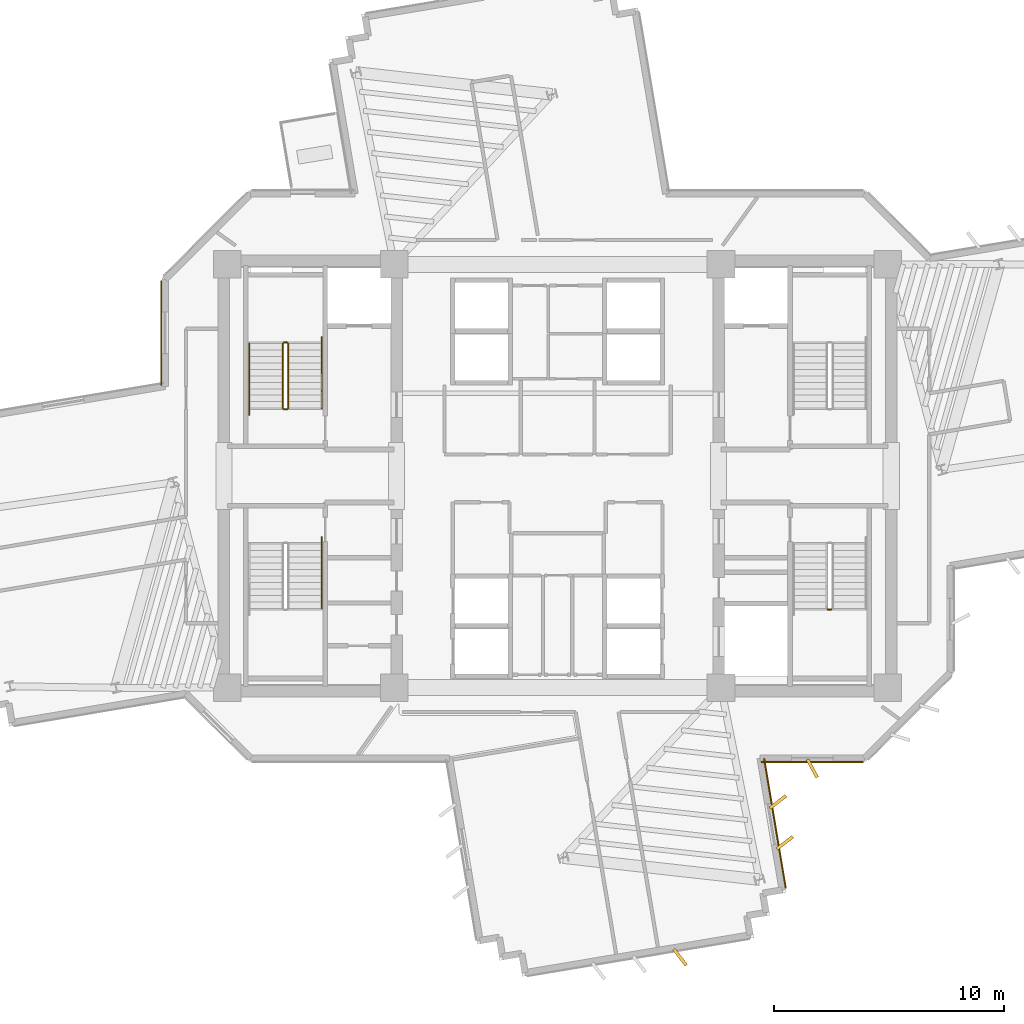
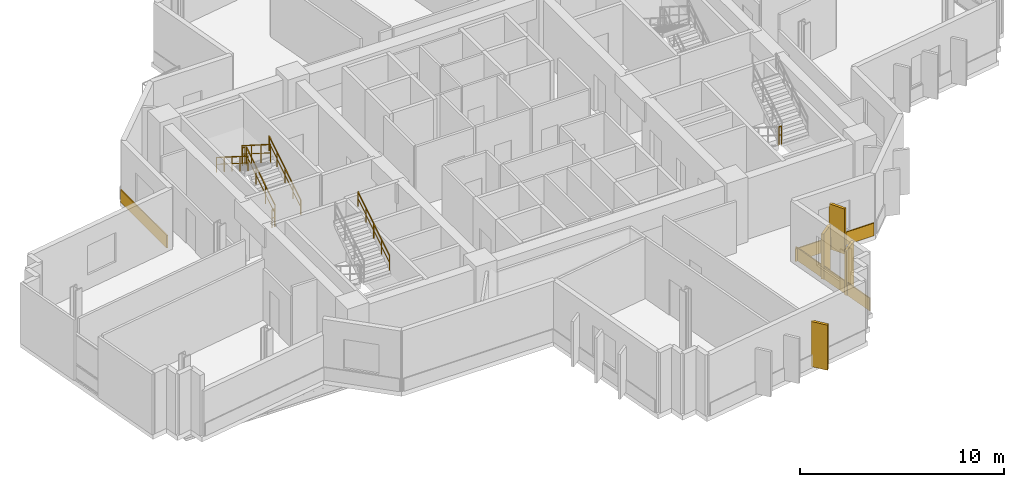
# One storey, part 13 of 15: 8 railings, 7 coverings.
"""IFC4 building model written with IfcOpenShell, lengths in metres."""

from ifc_helpers import new_model, si_unit, direction, frame, origin, origin_2d, place, context, subcontext, project, spatial, rectangle, extrude, source, transform, mapped, material, layer, layer_set, type_object, element, save


model = new_model("IFC4")

# Units and contexts
model_context = context("Model", 3, precision=1e-05, world=origin(), true_north=direction((0.0, 1.0)))
body_context = subcontext(model_context, "Body", "Model", "MODEL_VIEW")
ifc_project = project(units=[si_unit("LENGTHUNIT", "METRE"), si_unit("AREAUNIT", "SQUARE_METRE"), si_unit("VOLUMEUNIT", "CUBIC_METRE"), si_unit("PLANEANGLEUNIT", "RADIAN"), si_unit("MASSUNIT", "GRAM", prefix="KILO")], contexts=[model_context])

# Site, building, storey
site_placement = place(None, origin())
site = spatial("IfcSite", under=ifc_project, at=site_placement, CompositionType="ELEMENT")
building_placement = place(site_placement, origin())
building = spatial("IfcBuilding", under=site, at=building_placement, Name="Zahravan Cultural Tower", CompositionType="ELEMENT")
storey_placement = place(building_placement, frame((0.0, 0.0, 139.5)))
storey = spatial("IfcBuildingStorey", under=building, at=storey_placement, Name="L31", CompositionType="ELEMENT", Elevation=139.5)

# Railings
ifc_material_1 = material(Name="Steel ASTM A572 Grade 50", Category="steel")
railing_type_1 = type_object("IfcRailingType", Name="RL-STAIR-GRD1150", PredefinedType="BALUSTRADE", material=ifc_material_1)
railing_1_placement = place(storey_placement, frame((24.300048828125, 29.949951171875, 0.17724609375)))
element("IfcRailing", 1, at=railing_1_placement, inside=storey, type_object=railing_type_1, Name="L31 ST-W1 stair guard 1", PredefinedType="BALUSTRADE", context=body_context, shape_type="SweptSolid", body=[
    extrude(rectangle(XDim=0.05, YDim=0.05, at=origin_2d()), frame((0.0, 0.0, 1.0751953125), z_axis=(0.0, 0.844908973607, 0.534910110503), x_axis=(-1.0, 0.0, 0.0)), (0.0, 0.0, 1.0), 3.31396484375),
    extrude(rectangle(XDim=0.032, YDim=0.032, at=origin_2d()), frame((0.0, 0.0, 0.572021484375), z_axis=(0.0, 0.844908973607, 0.534910110503), x_axis=(-1.0, 0.0, 0.0)), (0.0, 0.0, 1.0), 3.31396484375),
    extrude(rectangle(XDim=0.04, YDim=0.04, at=origin_2d()), origin(), (0.0, 0.0, 1.0), 1.10009765625),
    extrude(rectangle(XDim=0.04, YDim=0.04, at=origin_2d()), frame((0.0, 0.933349609375, 0.5908203125)), (0.0, 0.0, 1.0), 1.10009765625),
    extrude(rectangle(XDim=0.04, YDim=0.04, at=origin_2d()), frame((0.0, 1.86669921875, 1.181884765625)), (0.0, 0.0, 1.0), 1.10009765625),
    extrude(rectangle(XDim=0.04, YDim=0.04, at=origin_2d()), frame((0.0, 2.800048828125, 1.772705078125)), (0.0, 0.0, 1.0), 1.10009765625),
])
railing_2_placement = place(storey_placement, frame((24.25, 32.800048828125, 1.949951171875)))
element("IfcRailing", 2, at=railing_2_placement, inside=storey, type_object=railing_type_1, Name="L31 ST-W1 stair guard 2", PredefinedType="BALUSTRADE", context=body_context, shape_type="SweptSolid", body=[
    extrude(rectangle(XDim=0.05, YDim=0.05, at=origin_2d()), frame((0.0, 0.0, 1.0751953125), z_axis=(-1.0, 0.0, 0.0), x_axis=(0.0, -1.0, 0.0)), (0.0, 0.0, 1.0), 0.14990234375),
    extrude(rectangle(XDim=0.032, YDim=0.032, at=origin_2d()), frame((0.0, 0.0, 0.572021484375), z_axis=(-1.0, 0.0, 0.0), x_axis=(0.0, -1.0, 0.0)), (0.0, 0.0, 1.0), 0.14990234375),
    extrude(rectangle(XDim=0.04, YDim=0.04, at=origin_2d()), origin(), (0.0, 0.0, 1.0), 1.10009765625),
    extrude(rectangle(XDim=0.04, YDim=0.04, at=origin_2d()), frame((-0.14990234375, 0.0, 0.0)), (0.0, 0.0, 1.0), 1.10009765625),
])
railing_3_placement = place(storey_placement, frame((24.050048828125, 32.75, 2.127197265625)))
element("IfcRailing", 3, at=railing_3_placement, inside=storey, type_object=railing_type_1, Name="L31 ST-W1 stair guard 3", PredefinedType="BALUSTRADE", context=body_context, shape_type="SweptSolid", body=[
    extrude(rectangle(XDim=0.05, YDim=0.05, at=origin_2d()), frame((0.0, 0.0, 1.0751953125), z_axis=(0.0, -0.844908973607, 0.534910110503), x_axis=(1.0, 0.0, 0.0)), (0.0, 0.0, 1.0), 3.31396484375),
    extrude(rectangle(XDim=0.032, YDim=0.032, at=origin_2d()), frame((0.0, 0.0, 0.572021484375), z_axis=(0.0, -0.844908973607, 0.534910110503), x_axis=(1.0, 0.0, 0.0)), (0.0, 0.0, 1.0), 3.31396484375),
    extrude(rectangle(XDim=0.04, YDim=0.04, at=origin_2d()), origin(), (0.0, 0.0, 1.0), 1.10009765625),
    extrude(rectangle(XDim=0.04, YDim=0.04, at=origin_2d()), frame((0.0, -0.933349609375, 0.5908203125)), (0.0, 0.0, 1.0), 1.10009765625),
    extrude(rectangle(XDim=0.04, YDim=0.04, at=origin_2d()), frame((0.0, -1.86669921875, 1.181884765625)), (0.0, 0.0, 1.0), 1.10009765625),
    extrude(rectangle(XDim=0.04, YDim=0.04, at=origin_2d()), frame((0.0, -2.800048828125, 1.772705078125)), (0.0, 0.0, 1.0), 1.10009765625),
])
railing_4_placement = place(storey_placement, frame((24.25, 29.89990234375, 0.0)))
element("IfcRailing", 4, at=railing_4_placement, inside=storey, type_object=railing_type_1, Name="L31 ST-W1 stair guard 4", PredefinedType="BALUSTRADE", context=body_context, shape_type="SweptSolid", body=[
    extrude(rectangle(XDim=0.05, YDim=0.05, at=origin_2d()), frame((0.0, 0.0, 1.0751953125), z_axis=(-1.0, 0.0, 0.0), x_axis=(0.0, -1.0, 0.0)), (0.0, 0.0, 1.0), 0.14990234375),
    extrude(rectangle(XDim=0.032, YDim=0.032, at=origin_2d()), frame((0.0, 0.0, 0.572021484375), z_axis=(-1.0, 0.0, 0.0), x_axis=(0.0, -1.0, 0.0)), (0.0, 0.0, 1.0), 0.14990234375),
    extrude(rectangle(XDim=0.04, YDim=0.04, at=origin_2d()), origin(), (0.0, 0.0, 1.0), 1.10009765625),
    extrude(rectangle(XDim=0.04, YDim=0.04, at=origin_2d()), frame((-0.14990234375, 0.0, 0.0)), (0.0, 0.0, 1.0), 1.10009765625),
])
railing_5_placement = place(storey_placement, frame((47.75, 21.199951171875, 1.949951171875)))
element("IfcRailing", 5, at=railing_5_placement, inside=storey, type_object=railing_type_1, Name="L31 ST-E2 stair guard 2", PredefinedType="BALUSTRADE", context=body_context, shape_type="SweptSolid", body=[
    extrude(rectangle(XDim=0.05, YDim=0.05, at=origin_2d()), frame((0.0, 0.0, 1.0751953125), z_axis=(1.0, 0.0, 0.0), x_axis=(0.0, 1.0, 0.0)), (0.0, 0.0, 1.0), 0.14990234375),
    extrude(rectangle(XDim=0.032, YDim=0.032, at=origin_2d()), frame((0.0, 0.0, 0.572021484375), z_axis=(1.0, 0.0, 0.0), x_axis=(0.0, 1.0, 0.0)), (0.0, 0.0, 1.0), 0.14990234375),
    extrude(rectangle(XDim=0.04, YDim=0.04, at=origin_2d()), origin(), (0.0, 0.0, 1.0), 1.10009765625),
    extrude(rectangle(XDim=0.04, YDim=0.04, at=origin_2d()), frame((0.14990234375, 0.0, 0.0)), (0.0, 0.0, 1.0), 1.10009765625),
])
railing_type_2 = type_object("IfcRailingType", Name="RL-STAIR-HR900", PredefinedType="HANDRAIL", material=ifc_material_1)
railing_6_placement = place(storey_placement, frame((25.75, 29.949951171875, 0.17724609375)))
element("IfcRailing", 6, at=railing_6_placement, inside=storey, type_object=railing_type_2, Name="L31 ST-W1 stair handrail 1", PredefinedType="HANDRAIL", context=body_context, shape_type="SweptSolid", body=[
    extrude(rectangle(XDim=0.05, YDim=0.05, at=origin_2d()), frame((0.0, 0.0, 0.875), z_axis=(0.0, 0.844913916606, 0.534902302785), x_axis=(-1.0, 0.0, 0.0)), (0.0, 0.0, 1.0), 3.6455078125),
    extrude(rectangle(XDim=0.032, YDim=0.032, at=origin_2d()), frame((0.0, 0.0, 0.468017578125), z_axis=(0.0, 0.844913916606, 0.534902302785), x_axis=(-1.0, 0.0, 0.0)), (0.0, 0.0, 1.0), 3.6455078125),
    extrude(rectangle(XDim=0.04, YDim=0.04, at=origin_2d()), origin(), (0.0, 0.0, 1.0), 0.89990234375),
    extrude(rectangle(XDim=0.04, YDim=0.04, at=origin_2d()), frame((0.0, 0.77001953125, 0.487548828125)), (0.0, 0.0, 1.0), 0.89990234375),
    extrude(rectangle(XDim=0.04, YDim=0.04, at=origin_2d()), frame((0.0, 1.5400390625, 0.97509765625)), (0.0, 0.0, 1.0), 0.89990234375),
    extrude(rectangle(XDim=0.04, YDim=0.04, at=origin_2d()), frame((0.0, 2.31005859375, 1.46240234375)), (0.0, 0.0, 1.0), 0.89990234375),
    extrude(rectangle(XDim=0.04, YDim=0.04, at=origin_2d()), frame((0.0, 3.080078125, 1.949951171875)), (0.0, 0.0, 1.0), 0.89990234375),
])
railing_7_placement = place(storey_placement, frame((22.60009765625, 32.75, 2.127197265625)))
element("IfcRailing", 7, at=railing_7_placement, inside=storey, type_object=railing_type_2, Name="L31 ST-W1 stair handrail 2", PredefinedType="HANDRAIL", context=body_context, shape_type="SweptSolid", body=[
    extrude(rectangle(XDim=0.05, YDim=0.05, at=origin_2d()), frame((0.0, 0.0, 0.875), z_axis=(0.0, -0.844883648757, 0.534950109882), x_axis=(1.0, 0.0, 0.0)), (0.0, 0.0, 1.0), 3.6455078125),
    extrude(rectangle(XDim=0.032, YDim=0.032, at=origin_2d()), frame((0.0, 0.0, 0.468017578125), z_axis=(0.0, -0.844883648757, 0.534950109882), x_axis=(1.0, 0.0, 0.0)), (0.0, 0.0, 1.0), 3.6455078125),
    extrude(rectangle(XDim=0.04, YDim=0.04, at=origin_2d()), origin(), (0.0, 0.0, 1.0), 0.89990234375),
    extrude(rectangle(XDim=0.04, YDim=0.04, at=origin_2d()), frame((0.0, -0.77001953125, 0.487548828125)), (0.0, 0.0, 1.0), 0.89990234375),
    extrude(rectangle(XDim=0.04, YDim=0.04, at=origin_2d()), frame((0.0, -1.5400390625, 0.97509765625)), (0.0, 0.0, 1.0), 0.89990234375),
    extrude(rectangle(XDim=0.04, YDim=0.04, at=origin_2d()), frame((0.0, -2.31005859375, 1.462646484375)), (0.0, 0.0, 1.0), 0.89990234375),
    extrude(rectangle(XDim=0.04, YDim=0.04, at=origin_2d()), frame((0.0, -3.080078125, 1.9501953125)), (0.0, 0.0, 1.0), 0.89990234375),
])
railing_8_placement = place(storey_placement, frame((25.75, 21.25, 2.127197265625)))
element("IfcRailing", 8, at=railing_8_placement, inside=storey, type_object=railing_type_2, Name="L31 ST-W2 stair handrail 2", PredefinedType="HANDRAIL", context=body_context, shape_type="SweptSolid", body=[
    extrude(rectangle(XDim=0.05, YDim=0.05, at=origin_2d()), frame((0.0, 0.0, 0.875), z_axis=(0.0, 0.844883648757, 0.534950109882), x_axis=(-1.0, 0.0, 0.0)), (0.0, 0.0, 1.0), 3.6455078125),
    extrude(rectangle(XDim=0.032, YDim=0.032, at=origin_2d()), frame((0.0, 0.0, 0.468017578125), z_axis=(0.0, 0.844883648757, 0.534950109882), x_axis=(-1.0, 0.0, 0.0)), (0.0, 0.0, 1.0), 3.6455078125),
    extrude(rectangle(XDim=0.04, YDim=0.04, at=origin_2d()), origin(), (0.0, 0.0, 1.0), 0.89990234375),
    extrude(rectangle(XDim=0.04, YDim=0.04, at=origin_2d()), frame((0.0, 0.77001953125, 0.487548828125)), (0.0, 0.0, 1.0), 0.89990234375),
    extrude(rectangle(XDim=0.04, YDim=0.04, at=origin_2d()), frame((0.0, 1.5400390625, 0.97509765625)), (0.0, 0.0, 1.0), 0.89990234375),
    extrude(rectangle(XDim=0.04, YDim=0.04, at=origin_2d()), frame((0.0, 2.31005859375, 1.462646484375)), (0.0, 0.0, 1.0), 0.89990234375),
    extrude(rectangle(XDim=0.04, YDim=0.04, at=origin_2d()), frame((0.0, 3.080078125, 1.9501953125)), (0.0, 0.0, 1.0), 0.89990234375),
])

# Coverings
ifc_material_2 = material(Name="Terracotta ceramic cladding", Category="masonry")
ifc_layer = layer(ifc_material_2, 0.06005859375)
ifc_layer_set = layer_set([ifc_layer], Name="Terracotta ceramic cladding")
covering_type = type_object("IfcCoveringType", Name="COV-CLAD-TC60", PredefinedType="CLADDING", material=ifc_layer_set)
shared_shape_1 = source(origin(), body_context, "Body", "SweptSolid", [
    extrude(rectangle(XDim=0.8798828125, YDim=0.139892578125, at=origin_2d()), origin(), (0.0, 0.0, 1.0), 2.699951171875),
])
for number, where, z_axis, x_axis, name in (
    (9, (47.072998046875, 14.2900390625, 0.0498046875), (0.0, 0.0, 1.0), (0.469471562786, -0.882947592859, 0.0), "L31 Herringbone Terracotta Fin 10"),
    (10, (45.579345703125, 12.834228515625, 0.0498046875), (0.0, 0.0, 1.0), (0.793342715279, 0.608775275544, 0.0), "L31 Herringbone Terracotta Fin 11"),
    (11, (45.87646484375, 11.05908203125, 0.0498046875), (0.0, 0.0, 1.0), (0.793342715279, 0.608775275544, 0.0), "L31 Herringbone Terracotta Fin 12"),
    (12, (41.325439453125, 6.08203125, 0.0498046875), (0.0, 0.0, 1.0), (0.608761429009, -0.793353340291, 0.0), "L31 Herringbone Terracotta Fin 13"),
):
    element("IfcCovering", number, at=place(storey_placement, frame(where, z_axis=z_axis, x_axis=x_axis)), inside=storey, type_object=covering_type, Name=name, PredefinedType="CLADDING", context=body_context, shape_type="MappedRepresentation", body=[
        mapped(shared_shape_1, transform((0.0, 0.0, 0.0), x_axis=(1.0, 0.0, 0.0), y_axis=(0.0, 1.0, 0.0), z_axis=(0.0, 0.0, 1.0), scale=1.0)),
    ])
shared_shape_2 = source(origin(), body_context, "Body", "SweptSolid", [
    extrude(rectangle(XDim=4.544189453125, YDim=0.06005859375, at=origin_2d()), origin(), (0.0, 0.0, 1.0), 0.760009765625),
])
covering_1_placement = place(storey_placement, frame((18.77490234375, 33.219970703125, 0.02001953125), z_axis=(0.0, 0.0, 1.0), x_axis=(0.0, 1.0, 0.0)))
element("IfcCovering", 13, at=covering_1_placement, inside=storey, type_object=covering_type, Name="L31 Terracotta Spandrel Cladding 37", PredefinedType="CLADDING", context=body_context, shape_type="MappedRepresentation", body=[
    mapped(shared_shape_2, transform((0.0, 0.0, 0.0), x_axis=(1.0, 0.0, 0.0), y_axis=(0.0, 1.0, 0.0), z_axis=(0.0, 0.0, 1.0), scale=1.0)),
])
shared_shape_3 = source(origin(), body_context, "Body", "SweptSolid", [
    extrude(rectangle(XDim=4.437744140625, YDim=0.06005859375, at=origin_2d()), origin(), (0.0, 0.0, 1.0), 0.760009765625),
])
covering_2_placement = place(storey_placement, frame((47.072998046875, 14.574951171875, 0.02001953125), z_axis=(0.0, 0.0, 1.0), x_axis=(-1.0, 0.0, 0.0)))
element("IfcCovering", 14, at=covering_2_placement, inside=storey, type_object=covering_type, Name="L31 Terracotta Spandrel Cladding 13", PredefinedType="CLADDING", context=body_context, shape_type="MappedRepresentation", body=[
    mapped(shared_shape_3, transform((0.0, 0.0, 0.0), x_axis=(1.0, 0.0, 0.0), y_axis=(0.0, 1.0, 0.0), z_axis=(0.0, 0.0, 1.0), scale=1.0)),
])
shared_shape_4 = source(origin(), body_context, "Body", "SweptSolid", [
    extrude(rectangle(XDim=5.715087890625, YDim=0.06005859375, at=origin_2d()), origin(), (0.0, 0.0, 1.0), 0.760009765625),
])
covering_3_placement = place(storey_placement, frame((45.44677734375, 11.899658203125, 0.02001953125), z_axis=(0.0, 0.0, 1.0), x_axis=(0.165064819767, -0.986282720763, 0.0)))
element("IfcCovering", 15, at=covering_3_placement, inside=storey, type_object=covering_type, Name="L31 Terracotta Spandrel Cladding 14", PredefinedType="CLADDING", context=body_context, shape_type="MappedRepresentation", body=[
    mapped(shared_shape_4, transform((0.0, 0.0, 0.0), x_axis=(1.0, 0.0, 0.0), y_axis=(0.0, 1.0, 0.0), z_axis=(0.0, 0.0, 1.0), scale=1.0)),
])

save(model, "model.ifc")
